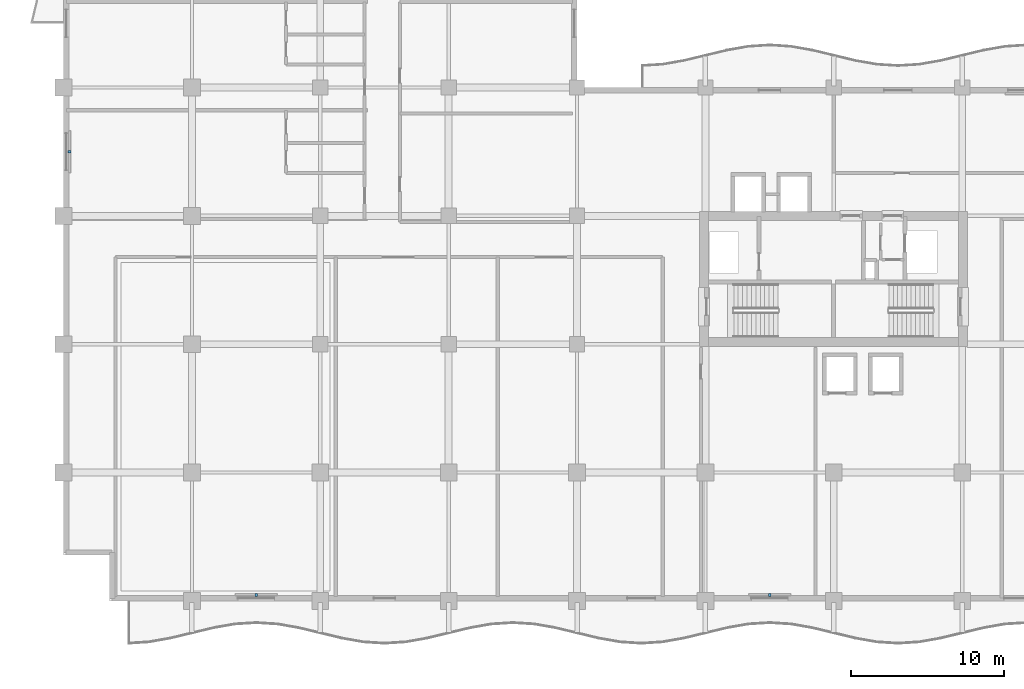
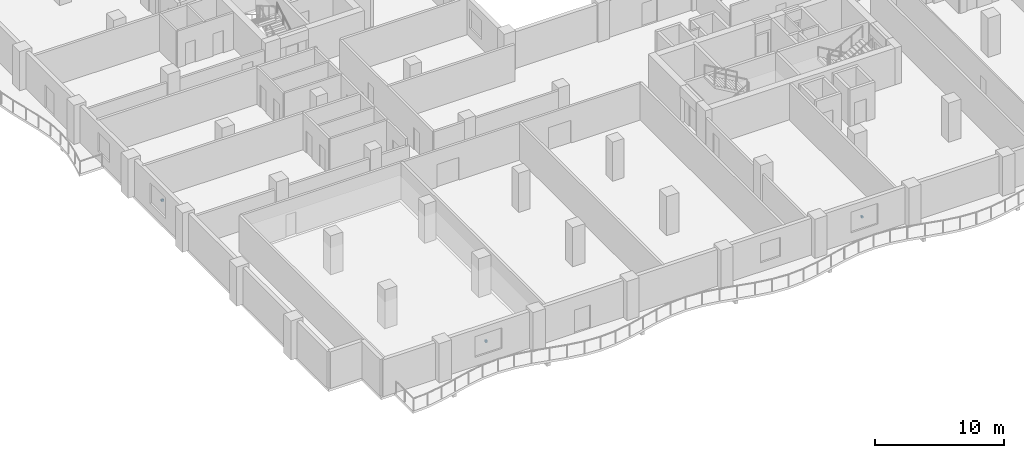
# One storey, part 15 of 20: 3 discrete accessories.
"""IFC4 building model written with IfcOpenShell, lengths in metres."""

from ifc_helpers import new_model, si_unit, direction, frame, origin, origin_2d, place, context, subcontext, project, spatial, rectangle, extrude, material, type_object, element, save


model = new_model("IFC4")

# Units and contexts
model_context = context("Model", 3, precision=1e-05, world=origin(), true_north=direction((0.0, 1.0)))
body_context = subcontext(model_context, "Body", "Model", "MODEL_VIEW")
ifc_project = project(units=[si_unit("LENGTHUNIT", "METRE"), si_unit("AREAUNIT", "SQUARE_METRE"), si_unit("VOLUMEUNIT", "CUBIC_METRE"), si_unit("PLANEANGLEUNIT", "RADIAN"), si_unit("MASSUNIT", "GRAM", prefix="KILO")], contexts=[model_context])

# Site, building, storey
site_placement = place(None, origin())
site = spatial("IfcSite", under=ifc_project, at=site_placement, CompositionType="ELEMENT")
building_placement = place(site_placement, origin())
building = spatial("IfcBuilding", under=site, at=building_placement, Name="Koriwani Terraces Tower", CompositionType="ELEMENT")
storey_placement = place(building_placement, frame((0.0, 0.0, 212.39990234375)))
storey = spatial("IfcBuildingStorey", under=building, at=storey_placement, Name="L52", CompositionType="ELEMENT", Elevation=212.39990234375)

# Discrete accessories
ifc_material = material(Name="Steel ASTM A572 Grade 50", Category="steel")
discrete_accessory_type = type_object("IfcDiscreteAccessoryType", Name="BAGUETTE_STANDOFF_BRACKET", PredefinedType="BRACKET", material=ifc_material)
for number, where, z_axis, x_axis, name in (
    (1, (0.389892578125, 29.39990234375, 1.64501953125), (0.0, 0.0, 1.0), (0.0, 1.0, 0.0), "L52 Terracotta Baguette Bracket (W-9)"),
    (2, (12.60009765625, 0.389892578125, 1.64501953125), (0.0, 0.0, 1.0), (-1.0, 0.0, 0.0), "L52 Terracotta Baguette Bracket (S-3)"),
    (3, (46.199951171875, 0.389892578125, 1.64501953125), (0.0, 0.0, 1.0), (-1.0, 0.0, 0.0), "L52 Terracotta Baguette Bracket (S-15)"),
):
    element("IfcDiscreteAccessory", number, at=place(storey_placement, frame(where, z_axis=z_axis, x_axis=x_axis)), inside=storey, type_object=discrete_accessory_type, Name=name, PredefinedType="BRACKET", context=body_context, shape_type="SweptSolid", body=[
        extrude(rectangle(XDim=0.159912109375, YDim=0.199951171875, at=origin_2d()), origin(), (0.0, 0.0, 1.0), 0.179931640625),
    ])

save(model, "model.ifc")
